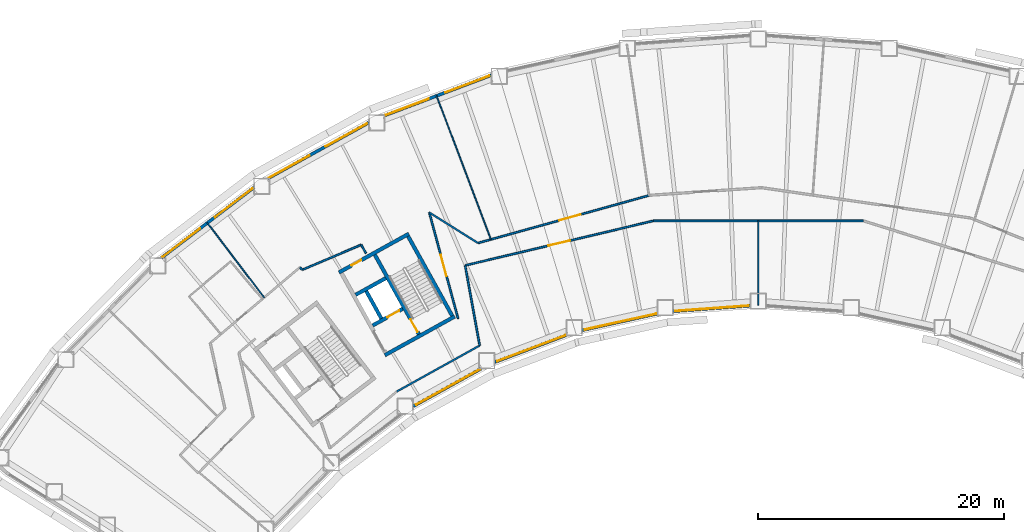
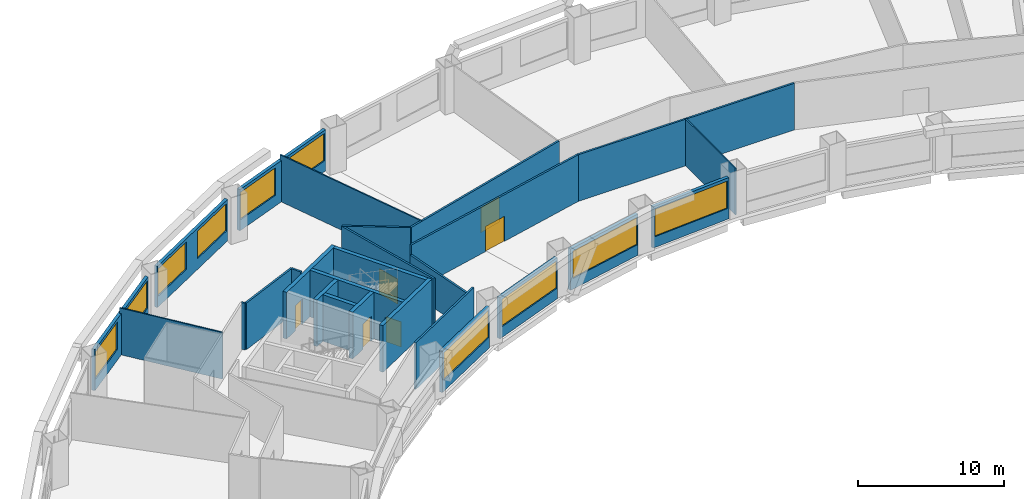
# One storey, part 4 of 11: 27 walls, 10 windows, 6 doors, 16 openings.
"""IFC4 building model written with IfcOpenShell, lengths in metres."""

from ifc_helpers import new_model, si_unit, direction, frame, frame_2d, origin, place, context, subcontext, project, spatial, rectangle, extrude, material, layer, layer_set, type_object, element, fill, save


model = new_model("IFC4")

# Units and contexts
model_context = context("Model", 3, precision=1e-05, world=origin(), true_north=direction((0.0, 1.0)))
body_context = subcontext(model_context, "Body", "Model", "MODEL_VIEW")
ifc_project = project(units=[si_unit("LENGTHUNIT", "METRE"), si_unit("AREAUNIT", "SQUARE_METRE"), si_unit("VOLUMEUNIT", "CUBIC_METRE"), si_unit("PLANEANGLEUNIT", "RADIAN"), si_unit("MASSUNIT", "GRAM", prefix="KILO")], contexts=[model_context])

# Site, building, storey
site_placement = place(None, origin())
site = spatial("IfcSite", under=ifc_project, at=site_placement, CompositionType="ELEMENT")
building_placement = place(site_placement, origin())
building = spatial("IfcBuilding", under=site, at=building_placement, Name="Tuul Gate Civic Tower", CompositionType="ELEMENT")
storey_placement = place(building_placement, frame((0.0, 0.0, 35.699951171875)))
storey = spatial("IfcBuildingStorey", under=building, at=storey_placement, Name="Level 07", CompositionType="ELEMENT", Elevation=35.699951171875)

# Wall
ifc_material_1 = material(Name="Concrete C50/60", Category="concrete")
ifc_layer_1 = layer(ifc_material_1, 0.300048828125)
ifc_layer_set_1 = layer_set([ifc_layer_1], Name="Concrete C50/60")
wall_type_1 = type_object("IfcWallType", Name="Core wall C50/60", PredefinedType="SHEAR", material=ifc_layer_set_1)
wall_1_placement = place(storey_placement, frame((-24.711669921875, -8.7158203125, 0.0), z_axis=(0.0, 0.0, 1.0), x_axis=(-0.874629909008, -0.484791215132, 0.0)))
element("IfcWall", 1, at=wall_1_placement, inside=storey, type_object=wall_type_1, Name="Core wall", PredefinedType="SHEAR", context=body_context, shape_type="SweptSolid", body=[
    extrude(rectangle(XDim=6.5, YDim=0.300048828125, at=frame_2d((3.25, 0.0))), origin(), (0.0, 0.0, 1.0), 3.900146484375),
])

# Wall, opening, door
wall_2_placement = place(storey_placement, frame((-28.94580078125, -8.090087890625, 0.0), z_axis=(0.0, 0.0, 1.0), x_axis=(-0.874629840737, -0.484791338301, 0.0)))
wall_2 = element("IfcWall", 2, at=wall_2_placement, inside=storey, type_object=wall_type_1, Name="Core wall", PredefinedType="SHEAR", context=body_context, shape_type="SweptSolid", body=[
    extrude(rectangle(XDim=2.800048828125, YDim=0.300048828125, at=frame_2d((1.39990234375, 0.0))), origin(), (0.0, 0.0, 1.0), 3.900146484375),
])
opening_1_placement = place(wall_2_placement, frame((0.324951171875, 0.0, 0.0)))
opening_1 = element("IfcOpeningElement", 3, at=opening_1_placement, cuts=wall_2, Name="Opening LD-FF-1", PredefinedType="OPENING", context=body_context, shape_type="SweptSolid", body=[
    extrude(rectangle(XDim=1.10009765625, YDim=2.10009765625, at=frame_2d((0.550048828125, 1.050048828125))), frame((0.0, 0.16015625, 0.0), z_axis=(0.0, -1.0, 0.0), x_axis=(1.0, 0.0, 0.0)), (0.0, 0.0, 1.0), 0.320068359375),
])
ifc_material_2 = material(Name="Stainless steel", Category="steel")
door_type_1 = type_object("IfcDoorType", Name="Landing door", OperationType="DOUBLE_DOOR_SLIDING", PredefinedType="DOOR", material=ifc_material_2)
door_1_placement = place(opening_1_placement, origin())
door_1 = element("IfcDoor", 4, at=door_1_placement, inside=storey, type_object=door_type_1, Name="Fire-fighting lift FF-1 landing door", OperationType="DOUBLE_DOOR_SLIDING", OverallHeight=2.10009765625, OverallWidth=1.10009765625, PredefinedType="DOOR", context=body_context, shape_type="SweptSolid", body=[
    extrude(rectangle(XDim=1.10009765625, YDim=2.10009765625, at=frame_2d((0.550048828125, 1.050048828125))), frame((0.0, 0.02490234375, 0.0), z_axis=(0.0, -1.0, 0.0), x_axis=(1.0, 0.0, 0.0)), (0.0, 0.0, 1.0), 0.050048828125),
])
fill(opening_1, door_1)

# Wall
wall_3_placement = place(storey_placement, frame((-30.327392578125, -5.59716796875, 0.0), z_axis=(0.0, 0.0, 1.0), x_axis=(-0.874629840737, -0.484791338301, 0.0)))
element("IfcWall", 5, at=wall_3_placement, inside=storey, type_object=wall_type_1, Name="Core wall", PredefinedType="SHEAR", context=body_context, shape_type="SweptSolid", body=[
    extrude(rectangle(XDim=2.800048828125, YDim=0.300048828125, at=frame_2d((1.39990234375, 0.0))), origin(), (0.0, 0.0, 1.0), 3.900146484375),
])

# Wall, opening, door
wall_4_placement = place(storey_placement, frame((-28.4443359375, -1.98095703125, 0.0), z_axis=(0.0, 0.0, 1.0), x_axis=(-0.874629909008, -0.484791215132, 0.0)))
wall_4 = element("IfcWall", 6, at=wall_4_placement, inside=storey, type_object=wall_type_1, Name="Core wall", PredefinedType="SHEAR", context=body_context, shape_type="SweptSolid", body=[
    extrude(rectangle(XDim=6.5, YDim=0.300048828125, at=frame_2d((3.25, 0.0))), origin(), (0.0, 0.0, 1.0), 3.900146484375),
])
opening_2_placement = place(wall_4_placement, frame((4.425048828125, 0.0, 0.0)))
opening_2 = element("IfcOpeningElement", 7, at=opening_2_placement, cuts=wall_4, Name="Opening A-D20", PredefinedType="OPENING", context=body_context, shape_type="SweptSolid", body=[
    extrude(rectangle(XDim=0.89990234375, YDim=2.10009765625, at=frame_2d((0.449951171875, 1.050048828125))), frame((0.0, 0.16015625, 0.0), z_axis=(0.0, -1.0, 0.0), x_axis=(1.0, 0.0, 0.0)), (0.0, 0.0, 1.0), 0.320068359375),
])
ifc_material_3 = material(Name="Timber door leaf", Category="wood")
door_type_2 = type_object("IfcDoorType", Name="Door D09", OperationType="NOTDEFINED", PredefinedType="DOOR", material=ifc_material_3)
door_2_placement = place(opening_2_placement, origin())
door_2 = element("IfcDoor", 8, at=door_2_placement, inside=storey, type_object=door_type_2, Name="Door A-D20", OperationType="SINGLE_SWING_LEFT", OverallHeight=2.10009765625, OverallWidth=0.89990234375, PredefinedType="DOOR", context=body_context, shape_type="SweptSolid", body=[
    extrude(rectangle(XDim=0.89990234375, YDim=2.10009765625, at=frame_2d((0.449951171875, 1.050048828125))), frame((0.0, 0.02490234375, 0.0), z_axis=(0.0, -1.0, 0.0), x_axis=(1.0, 0.0, 0.0)), (0.0, 0.0, 1.0), 0.050048828125),
])
fill(opening_2, door_2)

# Wall
wall_5_placement = place(storey_placement, frame((-24.91552734375, -8.6572265625, 0.0), z_axis=(0.0, 0.0, 1.0), x_axis=(-0.484777133038, 0.874637714304, 0.0)))
element("IfcWall", 9, at=wall_5_placement, inside=storey, type_object=wall_type_1, Name="Core wall", PredefinedType="SHEAR", context=body_context, shape_type="SweptSolid", body=[
    extrude(rectangle(XDim=7.400146484375, YDim=0.300048828125, at=frame_2d((3.7001953125, 0.0))), origin(), (0.0, 0.0, 1.0), 3.900146484375),
])

# Wall, opening, door
wall_6_placement = place(storey_placement, frame((-27.626953125, -10.16015625, 0.0), z_axis=(0.0, 0.0, 1.0), x_axis=(-0.484751894226, 0.874651702704, 0.0)))
wall_6 = element("IfcWall", 10, at=wall_6_placement, inside=storey, type_object=wall_type_1, Name="Core wall", PredefinedType="SHEAR", context=body_context, shape_type="SweptSolid", body=[
    extrude(rectangle(XDim=7.39990234375, YDim=0.300048828125, at=frame_2d((3.699951171875, 0.0))), origin(), (0.0, 0.0, 1.0), 3.900146484375),
])
opening_3_placement = place(wall_6_placement, frame((0.199951171875, 0.0, 0.0)))
opening_3 = element("IfcOpeningElement", 11, at=opening_3_placement, cuts=wall_6, Name="Opening SD-ST-2", PredefinedType="OPENING", context=body_context, shape_type="SweptSolid", body=[
    extrude(rectangle(XDim=1.199951171875, YDim=2.10009765625, at=frame_2d((0.60009765625, 1.050048828125))), frame((0.0, 0.16015625, 0.0), z_axis=(0.0, -1.0, 0.0), x_axis=(1.0, 0.0, 0.0)), (0.0, 0.0, 1.0), 0.320068359375),
])
ifc_material_4 = material(Name="Steel", Category="steel")
door_type_3 = type_object("IfcDoorType", Name="Stair door", OperationType="NOTDEFINED", PredefinedType="DOOR", material=ifc_material_4)
door_3_placement = place(opening_3_placement, origin())
door_3 = element("IfcDoor", 12, at=door_3_placement, inside=storey, type_object=door_type_3, Name="Stair door ST-2", OperationType="SINGLE_SWING_LEFT", OverallHeight=2.10009765625, OverallWidth=1.199951171875, PredefinedType="DOOR", context=body_context, shape_type="SweptSolid", body=[
    extrude(rectangle(XDim=1.199951171875, YDim=2.10009765625, at=frame_2d((0.60009765625, 1.050048828125))), frame((0.0, 0.02490234375, 0.0), z_axis=(0.0, -1.0, 0.0), x_axis=(1.0, 0.0, 0.0)), (0.0, 0.0, 1.0), 0.050048828125),
])
fill(opening_3, door_3)

# Wall
wall_7_placement = place(storey_placement, frame((-30.680419921875, -8.8798828125, 0.0), z_axis=(0.0, 0.0, 1.0), x_axis=(-0.484724115216, 0.874667097888, 0.0)))
element("IfcWall", 13, at=wall_7_placement, inside=storey, type_object=wall_type_1, Name="Core wall", PredefinedType="SHEAR", context=body_context, shape_type="SweptSolid", body=[
    extrude(rectangle(XDim=2.550048828125, YDim=0.300048828125, at=frame_2d((1.27490234375, 0.0))), origin(), (0.0, 0.0, 1.0), 3.900146484375),
])

# Wall, opening, door
ifc_material_5 = material(Name="Gypsum board partition")
ifc_layer_2 = layer(ifc_material_5, 0.14990234375)
ifc_layer_set_2 = layer_set([ifc_layer_2], Name="Gypsum board partition")
wall_type_2 = type_object("IfcWallType", Name="Corridor wall P150", PredefinedType="PARTITIONING", material=ifc_layer_set_2)
wall_8_placement = place(storey_placement, frame((-22.805419921875, -2.735107421875, 0.0), z_axis=(0.0, 0.0, 1.0), x_axis=(0.963309838379, 0.268391794366, 0.0)))
wall_8 = element("IfcWall", 14, at=wall_8_placement, inside=storey, type_object=wall_type_2, Name="p037", PredefinedType="PARTITIONING", context=body_context, shape_type="SweptSolid", body=[
    extrude(rectangle(XDim=14.47705078125, YDim=0.14990234375, at=frame_2d((7.238525390625, 0.0))), origin(), (0.0, 0.0, 1.0), 3.900146484375),
])
opening_4_placement = place(wall_8_placement, frame((6.855712890625, 0.0, 0.0)))
opening_4 = element("IfcOpeningElement", 15, at=opening_4_placement, cuts=wall_8, Name="Opening A-D08", PredefinedType="OPENING", context=body_context, shape_type="SweptSolid", body=[
    extrude(rectangle(XDim=1.800048828125, YDim=2.10009765625, at=frame_2d((0.89990234375, 1.050048828125))), frame((0.0, 0.0849609375, 0.0), z_axis=(0.0, -1.0, 0.0), x_axis=(1.0, 0.0, 0.0)), (0.0, 0.0, 1.0), 0.169921875),
])
ifc_material_6 = material(Name="Timber door leaf, double", Category="wood")
door_type_4 = type_object("IfcDoorType", Name="Door D18", OperationType="DOUBLE_DOOR_SINGLE_SWING", PredefinedType="DOOR", material=ifc_material_6)
door_4_placement = place(opening_4_placement, origin())
door_4 = element("IfcDoor", 16, at=door_4_placement, inside=storey, type_object=door_type_4, Name="Door A-D08", OperationType="DOUBLE_DOOR_SINGLE_SWING", OverallHeight=2.10009765625, OverallWidth=1.800048828125, PredefinedType="DOOR", context=body_context, shape_type="SweptSolid", body=[
    extrude(rectangle(XDim=1.800048828125, YDim=2.10009765625, at=frame_2d((0.89990234375, 1.050048828125))), frame((0.0, 0.02490234375, 0.0), z_axis=(0.0, -1.0, 0.0), x_axis=(1.0, 0.0, 0.0)), (0.0, 0.0, 1.0), 0.050048828125),
])
fill(opening_4, door_4)

# Wall
wall_9_placement = place(storey_placement, frame((-26.78271484375, -0.247314453125, 0.0), z_axis=(0.0, 0.0, 1.0), x_axis=(0.847026582422, -0.531550532565, 0.0)))
element("IfcWall", 17, at=wall_9_placement, inside=storey, type_object=wall_type_2, Name="p040", PredefinedType="PARTITIONING", context=body_context, shape_type="SweptSolid", body=[
    extrude(rectangle(XDim=4.678955078125, YDim=0.14990234375, at=frame_2d((2.33935546875, 0.0))), origin(), (0.0, 0.0, 1.0), 3.900146484375),
])

# Wall, opening, door
wall_10_placement = place(storey_placement, frame((-26.78271484375, -0.247314453125, 0.0), z_axis=(0.0, 0.0, 1.0), x_axis=(0.261698539129, -0.965149664362, 0.0)))
wall_10 = element("IfcWall", 18, at=wall_10_placement, inside=storey, type_object=wall_type_2, Name="p041", PredefinedType="PARTITIONING", context=body_context, shape_type="SweptSolid", body=[
    extrude(rectangle(XDim=8.955810546875, YDim=0.14990234375, at=frame_2d((4.47802734375, 0.0))), origin(), (0.0, 0.0, 1.0), 3.900146484375),
])
opening_5_placement = place(wall_10_placement, frame((3.577880859375, 0.0, 0.0)))
opening_5 = element("IfcOpeningElement", 19, at=opening_5_placement, cuts=wall_10, Name="Opening A-D09", PredefinedType="OPENING", context=body_context, shape_type="SweptSolid", body=[
    extrude(rectangle(XDim=1.800048828125, YDim=2.10009765625, at=frame_2d((0.89990234375, 1.050048828125))), frame((0.0, 0.0849609375, 0.0), z_axis=(0.0, -1.0, 0.0), x_axis=(1.0, 0.0, 0.0)), (0.0, 0.0, 1.0), 0.169921875),
])
door_5_placement = place(opening_5_placement, frame((1.800048828125, 0.0, 0.0), z_axis=(0.0, 0.0, 1.0), x_axis=(-1.0, 0.0, 0.0)))
door_5 = element("IfcDoor", 20, at=door_5_placement, inside=storey, type_object=door_type_4, Name="Door A-D09", OperationType="DOUBLE_DOOR_SINGLE_SWING", OverallHeight=2.10009765625, OverallWidth=1.800048828125, PredefinedType="DOOR", context=body_context, shape_type="SweptSolid", body=[
    extrude(rectangle(XDim=1.800048828125, YDim=2.10009765625, at=frame_2d((0.900146484375, 1.050048828125))), frame((0.0, 0.02490234375, 0.0), z_axis=(0.0, -1.0, 0.0), x_axis=(1.0, 0.0, 0.0)), (0.0, 0.0, 1.0), 0.050048828125),
])
fill(opening_5, door_5)

# Walls
wall_11_placement = place(storey_placement, frame((-32.3212890625, -2.876220703125, 0.0), z_axis=(0.0, 0.0, 1.0), x_axis=(0.4836119715, -0.875282503551, 0.0)))
element("IfcWall", 21, at=wall_11_placement, inside=storey, type_object=wall_type_2, Name="p042", PredefinedType="PARTITIONING", context=body_context, shape_type="SweptSolid", body=[
    extrude(rectangle(XDim=0.796630859375, YDim=0.14990234375, at=frame_2d((0.3984375, 0.0))), origin(), (0.0, 0.0, 1.0), 3.900146484375),
])
wall_12_placement = place(storey_placement, frame((-37.0908203125, -4.906982421875, 0.0), z_axis=(0.0, 0.0, 1.0), x_axis=(0.920073023007, 0.391746898309, 0.0)))
element("IfcWall", 22, at=wall_12_placement, inside=storey, type_object=wall_type_2, Name="p043", PredefinedType="PARTITIONING", context=body_context, shape_type="SweptSolid", body=[
    extrude(rectangle(XDim=5.183837890625, YDim=0.14990234375, at=frame_2d((2.591796875, 0.0))), origin(), (0.0, 0.0, 1.0), 3.900146484375),
])
wall_13_placement = place(storey_placement, frame((-37.317138671875, -4.714111328125, 0.0), z_axis=(0.0, 0.0, 1.0), x_axis=(0.735338928654, -0.677699535197, 0.0)))
element("IfcWall", 23, at=wall_13_placement, inside=storey, type_object=wall_type_2, Name="p044", PredefinedType="PARTITIONING", context=body_context, shape_type="SweptSolid", body=[
    extrude(rectangle(XDim=0.279541015625, YDim=0.14990234375, at=frame_2d((0.1396484375, 0.0))), origin(), (0.0, 0.0, 1.0), 3.900146484375),
])
wall_14_placement = place(storey_placement, frame((-8.558349609375, -0.93310546875, 0.0), z_axis=(0.0, 0.0, 1.0), x_axis=(0.999999997457, -7.1311417e-05, 0.0)))
element("IfcWall", 24, at=wall_14_placement, inside=storey, type_object=wall_type_2, Name="p058", PredefinedType="PARTITIONING", context=body_context, shape_type="SweptSolid", body=[
    extrude(rectangle(XDim=17.117919921875, YDim=0.14990234375, at=frame_2d((8.55908203125, 0.0))), origin(), (0.0, 0.0, 1.0), 3.900146484375),
])
wall_15_placement = place(storey_placement, frame((-29.43994140625, -14.828857421875, 0.0), z_axis=(0.0, 0.0, 1.0), x_axis=(0.874615511825, 0.484817188717, 0.0)))
element("IfcWall", 25, at=wall_15_placement, inside=storey, type_object=wall_type_2, Name="p064", PredefinedType="PARTITIONING", context=body_context, shape_type="SweptSolid", body=[
    extrude(rectangle(XDim=7.73388671875, YDim=0.14990234375, at=frame_2d((3.866943359375, 0.0))), origin(), (0.0, 0.0, 1.0), 3.900146484375),
])

# Wall, opening, door
wall_16_placement = place(storey_placement, frame((-23.84912109375, -4.556640625, 0.0), z_axis=(0.0, 0.0, 1.0), x_axis=(0.97306515643, 0.23053026123, 0.0)))
wall_16 = element("IfcWall", 26, at=wall_16_placement, inside=storey, type_object=wall_type_2, Name="p066", PredefinedType="PARTITIONING", context=body_context, shape_type="SweptSolid", body=[
    extrude(rectangle(XDim=15.714111328125, YDim=0.14990234375, at=frame_2d((7.85693359375, 0.0))), origin(), (0.0, 0.0, 1.0), 3.900146484375),
])
opening_6_placement = place(wall_16_placement, frame((6.95703125, 0.0, 0.0)))
opening_6 = element("IfcOpeningElement", 27, at=opening_6_placement, cuts=wall_16, Name="Opening A-D16", PredefinedType="OPENING", context=body_context, shape_type="SweptSolid", body=[
    extrude(rectangle(XDim=1.800048828125, YDim=2.10009765625, at=frame_2d((0.89990234375, 1.050048828125))), frame((0.0, 0.0849609375, 0.0), z_axis=(0.0, -1.0, 0.0), x_axis=(1.0, 0.0, 0.0)), (0.0, 0.0, 1.0), 0.169921875),
])
door_6_placement = place(opening_6_placement, frame((1.800048828125, 0.0, 0.0), z_axis=(0.0, 0.0, 1.0), x_axis=(-1.0, 0.0, 0.0)))
door_6 = element("IfcDoor", 28, at=door_6_placement, inside=storey, type_object=door_type_4, Name="Door A-D16", OperationType="DOUBLE_DOOR_SINGLE_SWING", OverallHeight=2.10009765625, OverallWidth=1.800048828125, PredefinedType="DOOR", context=body_context, shape_type="SweptSolid", body=[
    extrude(rectangle(XDim=1.800048828125, YDim=2.10009765625, at=frame_2d((0.900146484375, 1.050048828125))), frame((0.0, 0.02490234375, 0.0), z_axis=(0.0, -1.0, 0.0), x_axis=(1.0, 0.0, 0.0)), (0.0, 0.0, 1.0), 0.050048828125),
])
fill(opening_6, door_6)

# Wall
ifc_material_7 = material(Name="Gypsum board partition")
ifc_layer_3 = layer(ifc_material_7, 0.14990234375)
ifc_layer_set_3 = layer_set([ifc_layer_3], Name="Gypsum board partition")
wall_type_3 = type_object("IfcWallType", Name="Corridor wall P150 3100 HIGH", PredefinedType="PARTITIONING", material=ifc_layer_set_3)
wall_17_placement = place(storey_placement, frame((-23.859375, -4.57861328125, 0.0), z_axis=(0.0, 0.0, 1.0), x_axis=(0.179126041097, -0.983826133725, 0.0)))
element("IfcWall", 29, at=wall_17_placement, inside=storey, type_object=wall_type_3, Name="p065", PredefinedType="PARTITIONING", context=body_context, shape_type="SweptSolid", body=[
    extrude(rectangle(XDim=6.607666015625, YDim=0.14990234375, at=frame_2d((3.3037109375, 0.0))), origin(), (0.0, 0.0, 1.0), 3.10009765625),
])

# Wall, openings, windows
ifc_material_8 = material(Name="Precast concrete C40/50", Category="concrete")
ifc_layer_4 = layer(ifc_material_8, 0.25)
ifc_layer_set_4 = layer_set([ifc_layer_4], Name="Precast concrete C40/50")
wall_type_4 = type_object("IfcWallType", Name="External wall", PredefinedType="STANDARD", material=ifc_layer_set_4)
wall_18_placement = place(storey_placement, frame((-21.72705078125, 10.929931640625, 0.0), z_axis=(0.0, 0.0, 1.0), x_axis=(-0.93537723485, -0.353651563724, 0.0)))
wall_18 = element("IfcWall", 30, at=wall_18_placement, inside=storey, type_object=wall_type_4, Name="External wall", PredefinedType="STANDARD", context=body_context, shape_type="SweptSolid", body=[
    extrude(rectangle(XDim=9.287109375, YDim=0.25, at=frame_2d((4.6435546875, 0.0))), origin(), (0.0, 0.0, 1.0), 3.449951171875),
])
opening_7_placement = place(wall_18_placement, frame((0.1552734375, 0.0, 0.89990234375)))
opening_7 = element("IfcOpeningElement", 31, at=opening_7_placement, cuts=wall_18, Name="Opening W22", PredefinedType="OPENING", context=body_context, shape_type="SweptSolid", body=[
    extrude(rectangle(XDim=3.85009765625, YDim=2.300048828125, at=frame_2d((1.925048828125, 1.14990234375))), frame((0.0, 0.135009765625, 0.0), z_axis=(0.0, -1.0, 0.0), x_axis=(1.0, 0.0, 0.0)), (0.0, 0.0, 1.0), 0.27001953125),
])
opening_8_placement = place(wall_18_placement, frame((5.44091796875, 0.0, 0.89990234375)))
opening_8 = element("IfcOpeningElement", 32, at=opening_8_placement, cuts=wall_18, Name="Opening W100", PredefinedType="OPENING", context=body_context, shape_type="SweptSolid", body=[
    extrude(rectangle(XDim=3.800048828125, YDim=2.300048828125, at=frame_2d((1.89990234375, 1.14990234375))), frame((0.0, 0.135009765625, 0.0), z_axis=(0.0, -1.0, 0.0), x_axis=(1.0, 0.0, 0.0)), (0.0, 0.0, 1.0), 0.27001953125),
])
ifc_material_9 = material(Name="Glass", Category="glass")
window_type_1 = type_object("IfcWindowType", Name="Window W100 3800 x 2300", PartitioningType="SINGLE_PANEL", PredefinedType="WINDOW", material=ifc_material_9)
window_1_placement = place(opening_8_placement, origin())
window_1 = element("IfcWindow", 33, at=window_1_placement, inside=storey, type_object=window_type_1, Name="Window", OverallHeight=2.300048828125, OverallWidth=3.800048828125, PartitioningType="SINGLE_PANEL", PredefinedType="WINDOW", context=body_context, shape_type="SweptSolid", body=[
    extrude(rectangle(XDim=3.800048828125, YDim=2.300048828125, at=frame_2d((1.89990234375, 1.14990234375))), frame((0.0, 0.030029296875, 0.0), z_axis=(0.0, -1.0, 0.0), x_axis=(1.0, 0.0, 0.0)), (0.0, 0.0, 1.0), 0.06005859375),
])
fill(opening_8, window_1)
ifc_material_10 = material(Name="Glass", Category="glass")
window_type_2 = type_object("IfcWindowType", Name="Window W22 3850 x 2300", PartitioningType="SINGLE_PANEL", PredefinedType="WINDOW", material=ifc_material_10)
window_2_placement = place(opening_7_placement, origin())
window_2 = element("IfcWindow", 34, at=window_2_placement, inside=storey, type_object=window_type_2, Name="Window", OverallHeight=2.300048828125, OverallWidth=3.85009765625, PartitioningType="SINGLE_PANEL", PredefinedType="WINDOW", context=body_context, shape_type="SweptSolid", body=[
    extrude(rectangle(XDim=3.85009765625, YDim=2.300048828125, at=frame_2d((1.925048828125, 1.14990234375))), frame((0.0, 0.030029296875, 0.0), z_axis=(0.0, -1.0, 0.0), x_axis=(1.0, 0.0, 0.0)), (0.0, 0.0, 1.0), 0.06005859375),
])
fill(opening_7, window_2)

wall_19_placement = place(storey_placement, frame((-31.714111328125, 7.0634765625, 0.0), z_axis=(0.0, 0.0, 1.0), x_axis=(-0.87462564428, -0.484798909206, 0.0)))
wall_19 = element("IfcWall", 35, at=wall_19_placement, inside=storey, type_object=wall_type_4, Name="External wall", PredefinedType="STANDARD", context=body_context, shape_type="SweptSolid", body=[
    extrude(rectangle(XDim=9.35986328125, YDim=0.25, at=frame_2d((4.679931640625, 0.0))), origin(), (0.0, 0.0, 1.0), 3.449951171875),
])
opening_9_placement = place(wall_19_placement, frame((0.164306640625, 0.0, 0.89990234375)))
opening_9 = element("IfcOpeningElement", 36, at=opening_9_placement, cuts=wall_19, Name="Opening W22", PredefinedType="OPENING", context=body_context, shape_type="SweptSolid", body=[
    extrude(rectangle(XDim=3.85009765625, YDim=2.300048828125, at=frame_2d((1.925048828125, 1.14990234375))), frame((0.0, 0.135009765625, 0.0), z_axis=(0.0, -1.0, 0.0), x_axis=(1.0, 0.0, 0.0)), (0.0, 0.0, 1.0), 0.27001953125),
])
opening_10_placement = place(wall_19_placement, frame((5.51708984375, 0.0, 0.89990234375)))
opening_10 = element("IfcOpeningElement", 37, at=opening_10_placement, cuts=wall_19, Name="Opening W99", PredefinedType="OPENING", context=body_context, shape_type="SweptSolid", body=[
    extrude(rectangle(XDim=3.75, YDim=2.300048828125, at=frame_2d((1.875, 1.14990234375))), frame((0.0, 0.135009765625, 0.0), z_axis=(0.0, -1.0, 0.0), x_axis=(1.0, 0.0, 0.0)), (0.0, 0.0, 1.0), 0.27001953125),
])
window_3_placement = place(opening_9_placement, origin())
window_3 = element("IfcWindow", 38, at=window_3_placement, inside=storey, type_object=window_type_2, Name="Window", OverallHeight=2.300048828125, OverallWidth=3.85009765625, PartitioningType="SINGLE_PANEL", PredefinedType="WINDOW", context=body_context, shape_type="SweptSolid", body=[
    extrude(rectangle(XDim=3.85009765625, YDim=2.300048828125, at=frame_2d((1.925048828125, 1.14990234375))), frame((0.0, 0.030029296875, 0.0), z_axis=(0.0, -1.0, 0.0), x_axis=(1.0, 0.0, 0.0)), (0.0, 0.0, 1.0), 0.06005859375),
])
fill(opening_9, window_3)
ifc_material_11 = material(Name="Glass", Category="glass")
window_type_3 = type_object("IfcWindowType", Name="Window W99 3750 x 2300", PartitioningType="SINGLE_PANEL", PredefinedType="WINDOW", material=ifc_material_11)
window_4_placement = place(opening_10_placement, origin())
window_4 = element("IfcWindow", 39, at=window_4_placement, inside=storey, type_object=window_type_3, Name="Window", OverallHeight=2.300048828125, OverallWidth=3.75, PartitioningType="SINGLE_PANEL", PredefinedType="WINDOW", context=body_context, shape_type="SweptSolid", body=[
    extrude(rectangle(XDim=3.75, YDim=2.300048828125, at=frame_2d((1.875, 1.14990234375))), frame((0.0, 0.030029296875, 0.0), z_axis=(0.0, -1.0, 0.0), x_axis=(1.0, 0.0, 0.0)), (0.0, 0.0, 1.0), 0.06005859375),
])
fill(opening_10, window_4)

wall_20_placement = place(storey_placement, frame((-41.052001953125, 1.7900390625, 0.0), z_axis=(0.0, 0.0, 1.0), x_axis=(-0.795612935537, -0.605805296119, 0.0)))
wall_20 = element("IfcWall", 40, at=wall_20_placement, inside=storey, type_object=wall_type_4, Name="External wall", PredefinedType="STANDARD", context=body_context, shape_type="SweptSolid", body=[
    extrude(rectangle(XDim=9.461669921875, YDim=0.25, at=frame_2d((4.73095703125, 0.0))), origin(), (0.0, 0.0, 1.0), 3.449951171875),
])
opening_11_placement = place(wall_20_placement, frame((0.158935546875, 0.0, 0.89990234375)))
opening_11 = element("IfcOpeningElement", 41, at=opening_11_placement, cuts=wall_20, Name="Opening W22", PredefinedType="OPENING", context=body_context, shape_type="SweptSolid", body=[
    extrude(rectangle(XDim=3.85009765625, YDim=2.300048828125, at=frame_2d((1.925048828125, 1.14990234375))), frame((0.0, 0.135009765625, 0.0), z_axis=(0.0, -1.0, 0.0), x_axis=(1.0, 0.0, 0.0)), (0.0, 0.0, 1.0), 0.27001953125),
])
opening_12_placement = place(wall_20_placement, frame((5.5302734375, 0.0, 0.89990234375)))
opening_12 = element("IfcOpeningElement", 42, at=opening_12_placement, cuts=wall_20, Name="Opening W22", PredefinedType="OPENING", context=body_context, shape_type="SweptSolid", body=[
    extrude(rectangle(XDim=3.85009765625, YDim=2.300048828125, at=frame_2d((1.925048828125, 1.14990234375))), frame((0.0, 0.135009765625, 0.0), z_axis=(0.0, -1.0, 0.0), x_axis=(1.0, 0.0, 0.0)), (0.0, 0.0, 1.0), 0.27001953125),
])
window_5_placement = place(opening_11_placement, origin())
window_5 = element("IfcWindow", 43, at=window_5_placement, inside=storey, type_object=window_type_2, Name="Window", OverallHeight=2.300048828125, OverallWidth=3.85009765625, PartitioningType="SINGLE_PANEL", PredefinedType="WINDOW", context=body_context, shape_type="SweptSolid", body=[
    extrude(rectangle(XDim=3.85009765625, YDim=2.300048828125, at=frame_2d((1.925048828125, 1.14990234375))), frame((0.0, 0.030029296875, 0.0), z_axis=(0.0, -1.0, 0.0), x_axis=(1.0, 0.0, 0.0)), (0.0, 0.0, 1.0), 0.06005859375),
])
fill(opening_11, window_5)
window_6_placement = place(opening_12_placement, origin())
window_6 = element("IfcWindow", 44, at=window_6_placement, inside=storey, type_object=window_type_2, Name="Window", OverallHeight=2.300048828125, OverallWidth=3.85009765625, PartitioningType="SINGLE_PANEL", PredefinedType="WINDOW", context=body_context, shape_type="SweptSolid", body=[
    extrude(rectangle(XDim=3.85009765625, YDim=2.300048828125, at=frame_2d((1.925048828125, 1.14990234375))), frame((0.0, 0.030029296875, 0.0), z_axis=(0.0, -1.0, 0.0), x_axis=(1.0, 0.0, 0.0)), (0.0, 0.0, 1.0), 0.06005859375),
])
fill(opening_12, window_6)

# Wall, opening, window
wall_21_placement = place(storey_placement, frame((-28.076904296875, -16.0166015625, 0.0), z_axis=(0.0, 0.0, 1.0), x_axis=(0.874630436192, 0.484790264018, 0.0)))
wall_21 = element("IfcWall", 45, at=wall_21_placement, inside=storey, type_object=wall_type_4, Name="External wall", PredefinedType="STANDARD", context=body_context, shape_type="SweptSolid", body=[
    extrude(rectangle(XDim=6.27392578125, YDim=0.25, at=frame_2d((3.136962890625, 0.0))), origin(), (0.0, 0.0, 1.0), 3.449951171875),
])
opening_13_placement = place(wall_21_placement, frame((0.237060546875, 0.0, 0.89990234375)))
opening_13 = element("IfcOpeningElement", 46, at=opening_13_placement, cuts=wall_21, Name="Opening W101", PredefinedType="OPENING", context=body_context, shape_type="SweptSolid", body=[
    extrude(rectangle(XDim=5.949951171875, YDim=2.300048828125, at=frame_2d((2.97509765625, 1.14990234375))), frame((0.0, 0.135009765625, 0.0), z_axis=(0.0, -1.0, 0.0), x_axis=(1.0, 0.0, 0.0)), (0.0, 0.0, 1.0), 0.27001953125),
])
ifc_material_12 = material(Name="Glass", Category="glass")
window_type_4 = type_object("IfcWindowType", Name="Window W101 5950 x 2300", PartitioningType="SINGLE_PANEL", PredefinedType="WINDOW", material=ifc_material_12)
window_7_placement = place(opening_13_placement, origin())
window_7 = element("IfcWindow", 47, at=window_7_placement, inside=storey, type_object=window_type_4, Name="Window", OverallHeight=2.300048828125, OverallWidth=5.949951171875, PartitioningType="SINGLE_PANEL", PredefinedType="WINDOW", context=body_context, shape_type="SweptSolid", body=[
    extrude(rectangle(XDim=5.949951171875, YDim=2.300048828125, at=frame_2d((2.97509765625, 1.14990234375))), frame((0.0, 0.030029296875, 0.0), z_axis=(0.0, -1.0, 0.0), x_axis=(1.0, 0.0, 0.0)), (0.0, 0.0, 1.0), 0.06005859375),
])
fill(opening_13, window_7)

wall_22_placement = place(storey_placement, frame((-21.43701171875, -12.426513671875, 0.0), z_axis=(0.0, 0.0, 1.0), x_axis=(0.935359836581, 0.353697577193, 0.0)))
wall_22 = element("IfcWall", 48, at=wall_22_placement, inside=storey, type_object=wall_type_4, Name="External wall", PredefinedType="STANDARD", context=body_context, shape_type="SweptSolid", body=[
    extrude(rectangle(XDim=6.201904296875, YDim=0.25, at=frame_2d((3.10107421875, 0.0))), origin(), (0.0, 0.0, 1.0), 3.449951171875),
])
opening_14_placement = place(wall_22_placement, frame((0.2060546875, 0.0, 0.89990234375)))
opening_14 = element("IfcOpeningElement", 49, at=opening_14_placement, cuts=wall_22, Name="Opening W101", PredefinedType="OPENING", context=body_context, shape_type="SweptSolid", body=[
    extrude(rectangle(XDim=5.949951171875, YDim=2.300048828125, at=frame_2d((2.97509765625, 1.14990234375))), frame((0.0, 0.135009765625, 0.0), z_axis=(0.0, -1.0, 0.0), x_axis=(1.0, 0.0, 0.0)), (0.0, 0.0, 1.0), 0.27001953125),
])
window_8_placement = place(opening_14_placement, origin())
window_8 = element("IfcWindow", 50, at=window_8_placement, inside=storey, type_object=window_type_4, Name="Window", OverallHeight=2.300048828125, OverallWidth=5.949951171875, PartitioningType="SINGLE_PANEL", PredefinedType="WINDOW", context=body_context, shape_type="SweptSolid", body=[
    extrude(rectangle(XDim=5.949951171875, YDim=2.300048828125, at=frame_2d((2.97509765625, 1.14990234375))), frame((0.0, 0.030029296875, 0.0), z_axis=(0.0, -1.0, 0.0), x_axis=(1.0, 0.0, 0.0)), (0.0, 0.0, 1.0), 0.06005859375),
])
fill(opening_14, window_8)

wall_23_placement = place(storey_placement, frame((-14.3359375, -9.8291015625, 0.0), z_axis=(0.0, 0.0, 1.0), x_axis=(0.97656633669, 0.215216611915, 0.0)))
wall_23 = element("IfcWall", 51, at=wall_23_placement, inside=storey, type_object=wall_type_4, Name="External wall", PredefinedType="STANDARD", context=body_context, shape_type="SweptSolid", body=[
    extrude(rectangle(XDim=6.2607421875, YDim=0.25, at=frame_2d((3.13037109375, 0.0))), origin(), (0.0, 0.0, 1.0), 3.449951171875),
])
opening_15_placement = place(wall_23_placement, frame((0.2021484375, 0.0, 0.89990234375)))
opening_15 = element("IfcOpeningElement", 52, at=opening_15_placement, cuts=wall_23, Name="Opening W26", PredefinedType="OPENING", context=body_context, shape_type="SweptSolid", body=[
    extrude(rectangle(XDim=6.0, YDim=2.300048828125, at=frame_2d((3.0, 1.14990234375))), frame((0.0, 0.135009765625, 0.0), z_axis=(0.0, -1.0, 0.0), x_axis=(1.0, 0.0, 0.0)), (0.0, 0.0, 1.0), 0.27001953125),
])
ifc_material_13 = material(Name="Glass", Category="glass")
window_type_5 = type_object("IfcWindowType", Name="Window W26 6000 x 2300", PartitioningType="SINGLE_PANEL", PredefinedType="WINDOW", material=ifc_material_13)
window_9_placement = place(opening_15_placement, origin())
window_9 = element("IfcWindow", 53, at=window_9_placement, inside=storey, type_object=window_type_5, Name="Window", OverallHeight=2.300048828125, OverallWidth=6.0, PartitioningType="SINGLE_PANEL", PredefinedType="WINDOW", context=body_context, shape_type="SweptSolid", body=[
    extrude(rectangle(XDim=6.0, YDim=2.300048828125, at=frame_2d((3.0, 1.14990234375))), frame((0.0, 0.030029296875, 0.0), z_axis=(0.0, -1.0, 0.0), x_axis=(1.0, 0.0, 0.0)), (0.0, 0.0, 1.0), 0.06005859375),
])
fill(opening_15, window_9)

wall_24_placement = place(storey_placement, frame((-6.922119140625, -8.284423828125, 0.0), z_axis=(0.0, 0.0, 1.0), x_axis=(0.997395047269, 0.072132653374, 0.0)))
wall_24 = element("IfcWall", 54, at=wall_24_placement, inside=storey, type_object=wall_type_4, Name="External wall", PredefinedType="STANDARD", context=body_context, shape_type="SweptSolid", body=[
    extrude(rectangle(XDim=6.28857421875, YDim=0.25, at=frame_2d((3.144287109375, 0.0))), origin(), (0.0, 0.0, 1.0), 3.449951171875),
])
opening_16_placement = place(wall_24_placement, frame((0.167724609375, 0.0, 0.89990234375)))
opening_16 = element("IfcOpeningElement", 55, at=opening_16_placement, cuts=wall_24, Name="Opening W26", PredefinedType="OPENING", context=body_context, shape_type="SweptSolid", body=[
    extrude(rectangle(XDim=6.0, YDim=2.300048828125, at=frame_2d((3.0, 1.14990234375))), frame((0.0, 0.135009765625, 0.0), z_axis=(0.0, -1.0, 0.0), x_axis=(1.0, 0.0, 0.0)), (0.0, 0.0, 1.0), 0.27001953125),
])
window_10_placement = place(opening_16_placement, origin())
window_10 = element("IfcWindow", 56, at=window_10_placement, inside=storey, type_object=window_type_5, Name="Window", OverallHeight=2.300048828125, OverallWidth=6.0, PartitioningType="SINGLE_PANEL", PredefinedType="WINDOW", context=body_context, shape_type="SweptSolid", body=[
    extrude(rectangle(XDim=6.0, YDim=2.300048828125, at=frame_2d((3.0, 1.14990234375))), frame((0.0, 0.030029296875, 0.0), z_axis=(0.0, -1.0, 0.0), x_axis=(1.0, 0.0, 0.0)), (0.0, 0.0, 1.0), 0.06005859375),
])
fill(opening_16, window_10)

# Walls
ifc_material_14 = material(Name="Gypsum board partition")
ifc_layer_5 = layer(ifc_material_14, 0.10009765625)
ifc_layer_set_5 = layer_set([ifc_layer_5], Name="Gypsum board partition")
wall_type_5 = type_object("IfcWallType", Name="Partition P100", PredefinedType="PARTITIONING", material=ifc_layer_set_5)
wall_25_placement = place(storey_placement, frame((-26.186767578125, 9.249267578125, 0.0), z_axis=(0.0, 0.0, 1.0), x_axis=(0.353692190452, -0.935361873508, 0.0)))
element("IfcWall", 57, at=wall_25_placement, inside=storey, type_object=wall_type_5, Name="p038", PredefinedType="PARTITIONING", context=body_context, shape_type="SweptSolid", body=[
    extrude(rectangle(XDim=12.502685546875, YDim=0.10009765625, at=frame_2d((6.25146484375, 0.0))), origin(), (0.0, 0.0, 1.0), 3.900146484375),
])
wall_26_placement = place(storey_placement, frame((-44.849853515625, -1.095703125, 0.0), z_axis=(0.0, 0.0, 1.0), x_axis=(0.605779280153, -0.795632744259, 0.0)))
element("IfcWall", 58, at=wall_26_placement, inside=storey, type_object=wall_type_5, Name="p039", PredefinedType="PARTITIONING", context=body_context, shape_type="SweptSolid", body=[
    extrude(rectangle(XDim=7.63720703125, YDim=0.10009765625, at=frame_2d((3.818603515625, 0.0))), origin(), (0.0, 0.0, 1.0), 3.900146484375),
])
wall_27_placement = place(storey_placement, frame((0.0, -7.788818359375, 0.0), z_axis=(0.0, 0.0, 1.0), x_axis=(0.0, 1.0, 0.0)))
element("IfcWall", 59, at=wall_27_placement, inside=storey, type_object=wall_type_5, Name="p057", PredefinedType="PARTITIONING", context=body_context, shape_type="SweptSolid", body=[
    extrude(rectangle(XDim=6.855224609375, YDim=0.10009765625, at=frame_2d((3.427734375, 0.0))), origin(), (0.0, 0.0, 1.0), 3.900146484375),
])

save(model, "model.ifc")
